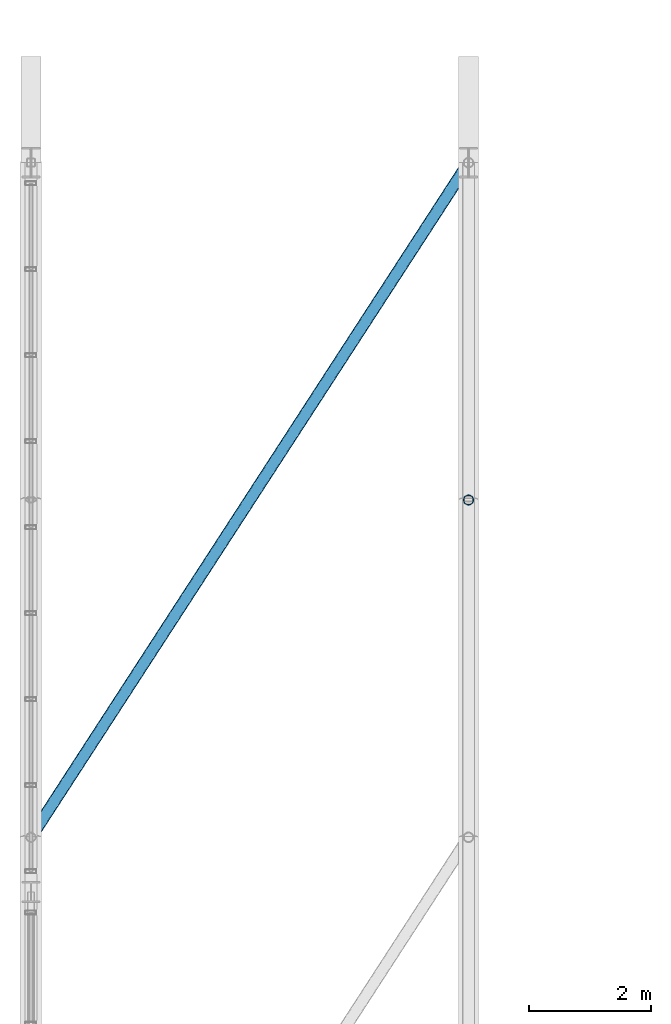
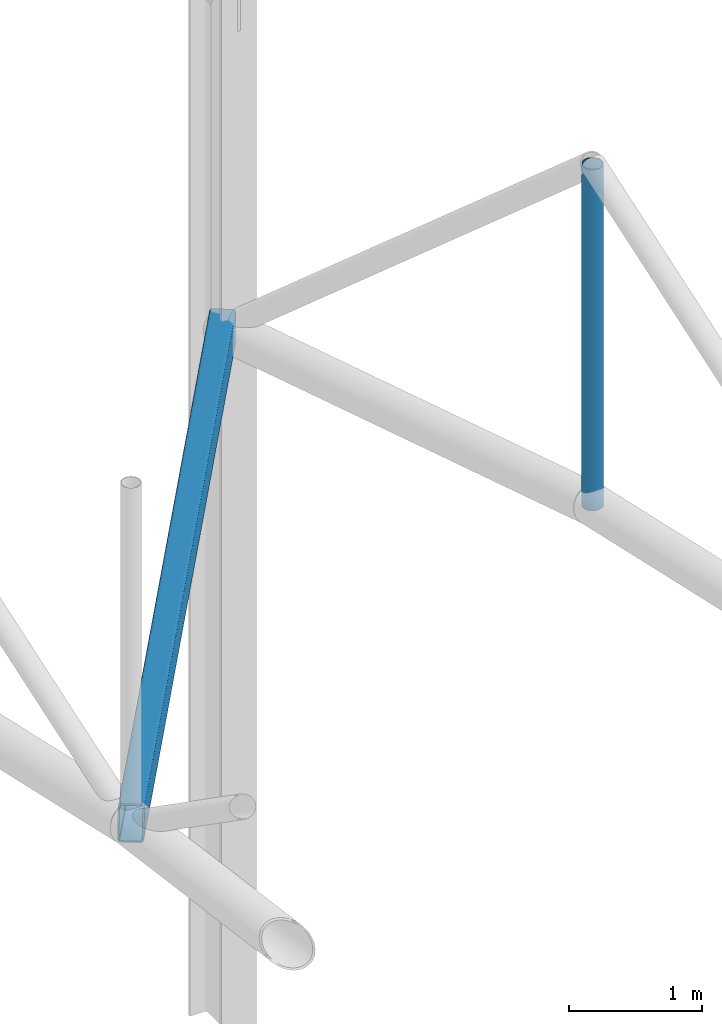
# One storey, part 52 of 153: 2 members.
"""IFC4 building model written with IfcOpenShell, lengths in metres."""

from ifc_helpers import new_model, si_unit, derived_unit, direction, frame, origin, origin_2d, place, context, subcontext, project, spatial, hollow_rectangle, hollow_circle, extrude, material, material_profile, profile_set, type_object, element, save


model = new_model("IFC4")

# Units and contexts
model_context = context("Model", 3, precision=1e-05, world=origin(), true_north=direction((0.0, 1.0)))
body_context = subcontext(model_context, "Body", "Model", "MODEL_VIEW")
ifc_project = project(units=[si_unit("LENGTHUNIT", "METRE"), si_unit("AREAUNIT", "SQUARE_METRE"), si_unit("VOLUMEUNIT", "CUBIC_METRE"), si_unit("PLANEANGLEUNIT", "RADIAN"), si_unit("MASSUNIT", "GRAM", prefix="KILO"), derived_unit("THERMALTRANSMITTANCEUNIT", [(si_unit("POWERUNIT", "WATT"), 1), (si_unit("LENGTHUNIT", "METRE"), -2), (si_unit("THERMODYNAMICTEMPERATUREUNIT", "KELVIN"), -1)])], contexts=[model_context])

# Site, building, storey
site_placement = place(None, origin())
site = spatial("IfcSite", under=ifc_project, at=site_placement, CompositionType="ELEMENT")
building_placement = place(site_placement, origin())
building = spatial("IfcBuilding", under=site, at=building_placement, Name="Keldorne Ridge Multi-Sports Centre", CompositionType="ELEMENT")
storey_placement = place(building_placement, frame((0.0, 0.0, 9.60009765625)))
storey = spatial("IfcBuildingStorey", under=building, at=storey_placement, Name="L02", CompositionType="ELEMENT", Elevation=9.60009765625)

# Members
ifc_material = material(Name="Steel S355", Category="steel")
ifc_material_profile_1 = material_profile(ifc_material, hollow_circle(Radius=0.084228515625, WallThickness=0.010009765625, at=origin_2d()), Name="CHS 168.3x10")
ifc_profile_set_1 = profile_set([ifc_material_profile_1], Name="Steel S355")
member_type_1 = type_object("IfcMemberType", Name="MEM-TV-01", PredefinedType="STRUT", material=ifc_profile_set_1)
member_1_placement = place(storey_placement, frame((13.199951171875, 48.449951171875, 8.1298828125), z_axis=(0.0, 0.0, 1.0), x_axis=(1.0, 0.0, 0.0)))
element("IfcMember", 1, at=member_1_placement, inside=storey, type_object=member_type_1, Name="Main Hall ROOF TRUSS AT-02 vertical 8", PredefinedType="STRUT", context=body_context, shape_type="SweptSolid", body=[
    extrude(hollow_circle(Radius=0.084228515625, WallThickness=0.010009765625, at=origin_2d()), origin(), (0.0, 0.0, 1.0), 3.1201171875),
])
ifc_material_profile_2 = material_profile(ifc_material, hollow_rectangle(XDim=0.199951171875, YDim=0.300048828125, WallThickness=0.012451171875, InnerFilletRadius=0.012451171875, OuterFilletRadius=0.02490234375, at=origin_2d()), Name="RHS 300x200x12.5")
ifc_profile_set_2 = profile_set([ifc_material_profile_2], Name="Steel S355")
member_type_2 = type_object("IfcMemberType", Name="MEM-WB-01", PredefinedType="BRACE", material=ifc_profile_set_2)
member_2_placement = place(storey_placement, frame((6.0, 42.89990234375, 11.099853515625), z_axis=(0.512546705426, 0.790188481534, -0.336003033332), x_axis=(-0.83896515778, 0.544185137643, 0.0)))
element("IfcMember", 2, at=member_2_placement, inside=storey, type_object=member_type_2, Name="Main Hall wind girder brace 1.7", PredefinedType="BRACE", context=body_context, shape_type="SweptSolid", body=[
    extrude(hollow_rectangle(XDim=0.199951171875, YDim=0.300048828125, WallThickness=0.012451171875, InnerFilletRadius=0.012451171875, OuterFilletRadius=0.02490234375, at=origin_2d()), origin(), (0.0, 0.0, 1.0), 14.04736328125),
])

save(model, "model.ifc")
